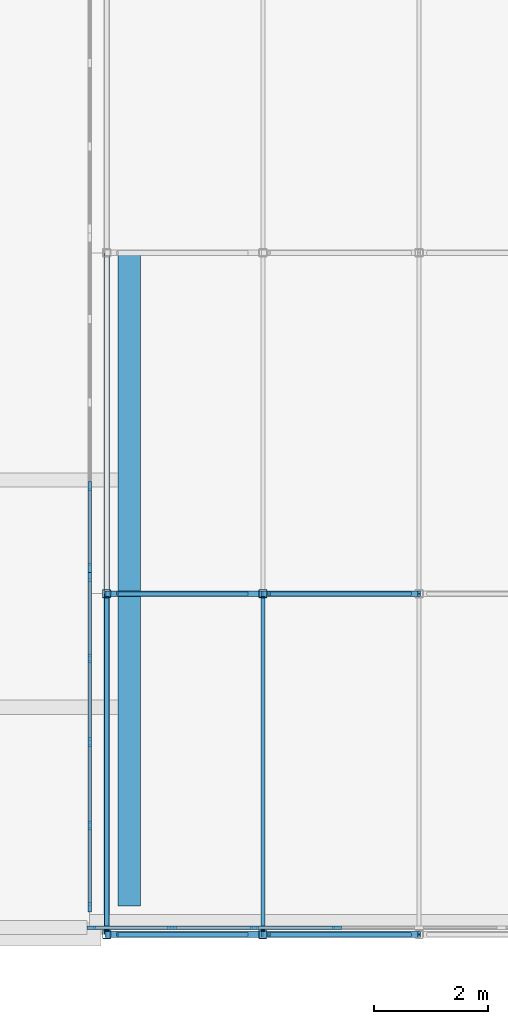
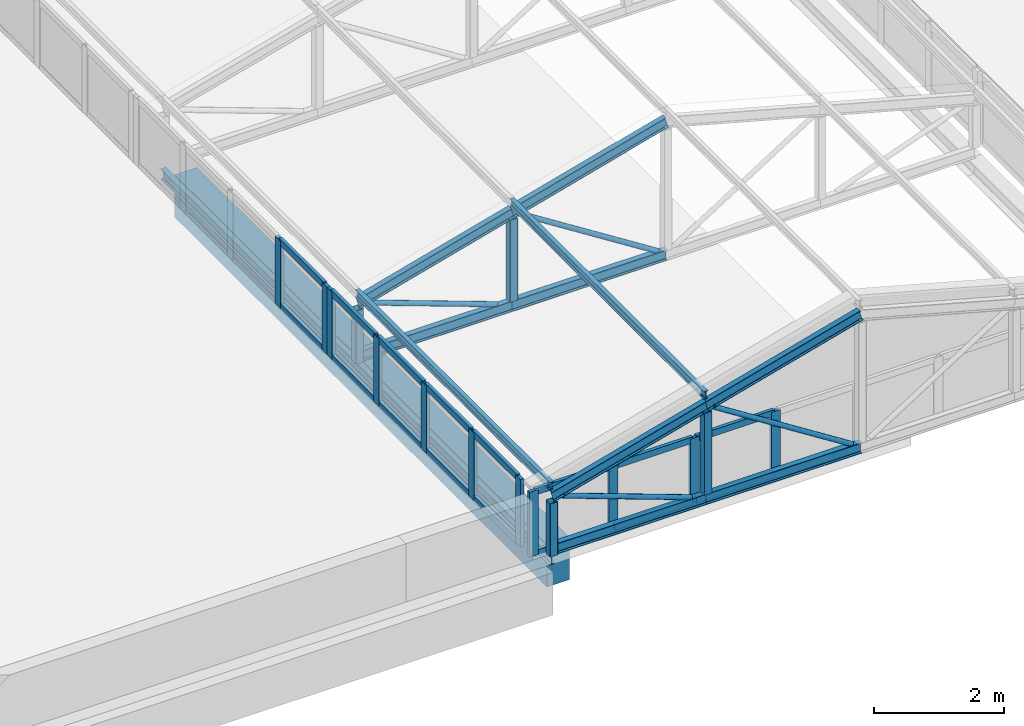
# One storey, part 2 of 94: 45 members, 2 beams, 3 elements without a shape of their own.
"""IFC4 building model written with IfcOpenShell, lengths in metres."""

from ifc_helpers import new_model, si_unit, direction, frame, origin, origin_2d, place, context, subcontext, project, spatial, rectangle, hollow_rectangle, hollow_circle, i_section, extrude, material, layer, layer_set, material_profile, profile_set, type_object, element, aggregate, save


model = new_model("IFC4")

# Units and contexts
model_context = context("Model", 3, precision=1e-05, world=origin(), true_north=direction((0.0, 1.0)))
body_context = subcontext(model_context, "Body", "Model", "MODEL_VIEW")
ifc_project = project(units=[si_unit("LENGTHUNIT", "METRE"), si_unit("AREAUNIT", "SQUARE_METRE"), si_unit("VOLUMEUNIT", "CUBIC_METRE"), si_unit("PLANEANGLEUNIT", "RADIAN"), si_unit("MASSUNIT", "GRAM", prefix="KILO")], contexts=[model_context])

# Site, building, storey
site_placement = place(None, origin())
site = spatial("IfcSite", under=ifc_project, at=site_placement, CompositionType="ELEMENT")
building_placement = place(site_placement, origin())
building = spatial("IfcBuilding", under=site, at=building_placement, Name="Lilac Gate Convention Centre", CompositionType="ELEMENT")
storey_placement = place(building_placement, frame((0.0, 0.0, 21.0)))
storey = spatial("IfcBuildingStorey", under=building, at=storey_placement, Name="L04", CompositionType="ELEMENT", Elevation=21.0)

# Curtain wall, members
ifc_material_1 = material(Name="Aluminium framed double glazing", Category="aluminium")
ifc_layer = layer(ifc_material_1, 0.199951171875)
ifc_layer_set = layer_set([ifc_layer], Name="Aluminium framed double glazing")
curtain_wall_type = type_object("IfcCurtainWallType", Name="Unitised curtain wall 1500", PredefinedType="NOTDEFINED", material=ifc_layer_set)
curtain_wall_1_placement = place(storey_placement, origin())
curtain_wall_1 = element("IfcCurtainWall", 1, at=curtain_wall_1_placement, inside=storey, type_object=curtain_wall_type, Name="Lantern clerestory W 1", PredefinedType="NOTDEFINED")
ifc_material_2 = material(Name="Aluminium alloy 6063", Category="aluminium")
ifc_material_profile_1 = material_profile(ifc_material_2, rectangle(XDim=0.06005859375, YDim=0.159912109375, at=origin_2d()), Name="Curtain wall mullion 60 x 160")
ifc_profile_set_1 = profile_set([ifc_material_profile_1], Name="Aluminium alloy 6063")
member_type_1 = type_object("IfcMemberType", Name="Curtain wall mullion 60 x 160", PredefinedType="MULLION", material=ifc_profile_set_1)
member_1_placement = place(storey_placement, frame((17.300048828125, 30.47998046875, 0.0), z_axis=(0.0, 0.0, 1.0), x_axis=(-1.0, 0.0, 0.0)))
member_1 = element("IfcMember", 2, at=member_1_placement, type_object=member_type_1, Name="CW mullion 1", PredefinedType="MULLION", context=body_context, shape_type="SweptSolid", body=[
    extrude(rectangle(XDim=0.06005859375, YDim=0.159912109375, at=origin_2d()), origin(), (0.0, 0.0, 1.0), 1.272216796875),
])
member_2_placement = place(storey_placement, frame((17.300048828125, 31.918701171875, 0.0), z_axis=(0.0, 0.0, 1.0), x_axis=(-1.0, 0.0, 0.0)))
member_2 = element("IfcMember", 3, at=member_2_placement, type_object=member_type_1, Name="CW mullion 2", PredefinedType="MULLION", context=body_context, shape_type="SweptSolid", body=[
    extrude(rectangle(XDim=0.06005859375, YDim=0.159912109375, at=origin_2d()), origin(), (0.0, 0.0, 1.0), 1.272216796875),
])
member_3_placement = place(storey_placement, frame((17.300048828125, 33.387451171875, 0.0), z_axis=(0.0, 0.0, 1.0), x_axis=(-1.0, 0.0, 0.0)))
member_3 = element("IfcMember", 4, at=member_3_placement, type_object=member_type_1, Name="CW mullion 3", PredefinedType="MULLION", context=body_context, shape_type="SweptSolid", body=[
    extrude(rectangle(XDim=0.06005859375, YDim=0.159912109375, at=origin_2d()), origin(), (0.0, 0.0, 1.0), 1.272216796875),
])
member_4_placement = place(storey_placement, frame((17.300048828125, 34.856201171875, 0.0), z_axis=(0.0, 0.0, 1.0), x_axis=(-1.0, 0.0, 0.0)))
member_4 = element("IfcMember", 5, at=member_4_placement, type_object=member_type_1, Name="CW mullion 4", PredefinedType="MULLION", context=body_context, shape_type="SweptSolid", body=[
    extrude(rectangle(XDim=0.06005859375, YDim=0.159912109375, at=origin_2d()), origin(), (0.0, 0.0, 1.0), 1.272216796875),
])
member_5_placement = place(storey_placement, frame((17.300048828125, 36.294921875, 0.0), z_axis=(0.0, 0.0, 1.0), x_axis=(-1.0, 0.0, 0.0)))
member_5 = element("IfcMember", 6, at=member_5_placement, type_object=member_type_1, Name="CW mullion 5", PredefinedType="MULLION", context=body_context, shape_type="SweptSolid", body=[
    extrude(rectangle(XDim=0.06005859375, YDim=0.159912109375, at=origin_2d()), origin(), (0.0, 0.0, 1.0), 1.272216796875),
])

curtain_wall_2_placement = place(storey_placement, origin())
curtain_wall_2 = element("IfcCurtainWall", 7, at=curtain_wall_2_placement, inside=storey, type_object=curtain_wall_type, Name="Lantern clerestory W 2", PredefinedType="NOTDEFINED")
member_6_placement = place(storey_placement, frame((17.300048828125, 36.455078125, 0.0), z_axis=(0.0, 0.0, 1.0), x_axis=(-1.0, 0.0, 0.0)))
member_6 = element("IfcMember", 8, at=member_6_placement, type_object=member_type_1, Name="CW mullion 1", PredefinedType="MULLION", context=body_context, shape_type="SweptSolid", body=[
    extrude(rectangle(XDim=0.06005859375, YDim=0.159912109375, at=origin_2d()), origin(), (0.0, 0.0, 1.0), 1.272216796875),
])
member_7_placement = place(storey_placement, frame((17.300048828125, 37.893798828125, 0.0), z_axis=(0.0, 0.0, 1.0), x_axis=(-1.0, 0.0, 0.0)))
member_7 = element("IfcMember", 9, at=member_7_placement, type_object=member_type_1, Name="CW mullion 2", PredefinedType="MULLION", context=body_context, shape_type="SweptSolid", body=[
    extrude(rectangle(XDim=0.06005859375, YDim=0.159912109375, at=origin_2d()), origin(), (0.0, 0.0, 1.0), 1.272216796875),
])

curtain_wall_3_placement = place(storey_placement, origin())
curtain_wall_3 = element("IfcCurtainWall", 10, at=curtain_wall_3_placement, inside=storey, type_object=curtain_wall_type, Name="Lantern end glazing S", PredefinedType="NOTDEFINED")
member_8_placement = place(storey_placement, frame((17.330078125, 30.1201171875, 0.0), z_axis=(0.0, 0.0, 1.0), x_axis=(0.0, 1.0, 0.0)))
member_8 = element("IfcMember", 11, at=member_8_placement, type_object=member_type_1, Name="CW mullion 1", PredefinedType="MULLION", context=body_context, shape_type="SweptSolid", body=[
    extrude(rectangle(XDim=0.06005859375, YDim=0.159912109375, at=origin_2d()), origin(), (0.0, 0.0, 1.0), 1.22216796875),
])
member_9_placement = place(storey_placement, frame((18.75, 30.1201171875, 0.0), z_axis=(0.0, 0.0, 1.0), x_axis=(0.0, 1.0, 0.0)))
member_9 = element("IfcMember", 12, at=member_9_placement, type_object=member_type_1, Name="CW mullion 2", PredefinedType="MULLION", context=body_context, shape_type="SweptSolid", body=[
    extrude(rectangle(XDim=0.06005859375, YDim=0.159912109375, at=origin_2d()), origin(), (0.0, 0.0, 1.0), 1.22216796875),
])
member_10_placement = place(storey_placement, frame((20.199951171875, 30.1201171875, 0.0), z_axis=(0.0, 0.0, 1.0), x_axis=(0.0, 1.0, 0.0)))
member_10 = element("IfcMember", 13, at=member_10_placement, type_object=member_type_1, Name="CW mullion 3", PredefinedType="MULLION", context=body_context, shape_type="SweptSolid", body=[
    extrude(rectangle(XDim=0.06005859375, YDim=0.159912109375, at=origin_2d()), origin(), (0.0, 0.0, 1.0), 1.22216796875),
])
member_11_placement = place(storey_placement, frame((21.64990234375, 30.1201171875, 0.0), z_axis=(0.0, 0.0, 1.0), x_axis=(0.0, 1.0, 0.0)))
member_11 = element("IfcMember", 14, at=member_11_placement, type_object=member_type_1, Name="CW mullion 4", PredefinedType="MULLION", context=body_context, shape_type="SweptSolid", body=[
    extrude(rectangle(XDim=0.06005859375, YDim=0.159912109375, at=origin_2d()), origin(), (0.0, 0.0, 1.0), 1.22216796875),
])

# Member
ifc_material_profile_2 = material_profile(ifc_material_2, rectangle(XDim=0.06005859375, YDim=0.1201171875, at=origin_2d()), Name="Curtain wall transom 60 x 120")
ifc_profile_set_2 = profile_set([ifc_material_profile_2], Name="Aluminium alloy 6063")
member_type_2 = type_object("IfcMemberType", Name="Curtain wall transom 60 x 120", PredefinedType="USERDEFINED", material=ifc_profile_set_2)
member_12_placement = place(storey_placement, frame((17.300048828125, 30.510009765625, 0.030029296875), z_axis=(0.0, 1.0, 0.0), x_axis=(-1.0, 0.0, 0.0)))
member_12 = element("IfcMember", 15, at=member_12_placement, type_object=member_type_2, Name="CW transom 1.1", ObjectType="TRANSOM", PredefinedType="USERDEFINED", context=body_context, shape_type="SweptSolid", body=[
    extrude(rectangle(XDim=0.06005859375, YDim=0.1201171875, at=origin_2d()), origin(), (0.0, 0.0, 1.0), 1.378662109375),
])

member_13_placement = place(storey_placement, frame((17.300048828125, 30.510009765625, 1.2421875), z_axis=(0.0, 1.0, 0.0), x_axis=(-1.0, 0.0, 0.0)))
member_13 = element("IfcMember", 16, at=member_13_placement, type_object=member_type_2, Name="CW transom 1.2", ObjectType="TRANSOM", PredefinedType="USERDEFINED", context=body_context, shape_type="SweptSolid", body=[
    extrude(rectangle(XDim=0.06005859375, YDim=0.1201171875, at=origin_2d()), origin(), (0.0, 0.0, 1.0), 1.378662109375),
])

member_14_placement = place(storey_placement, frame((17.300048828125, 31.94873046875, 0.030029296875), z_axis=(0.0, 1.0, 0.0), x_axis=(-1.0, 0.0, 0.0)))
member_14 = element("IfcMember", 17, at=member_14_placement, type_object=member_type_2, Name="CW transom 2.1", ObjectType="TRANSOM", PredefinedType="USERDEFINED", context=body_context, shape_type="SweptSolid", body=[
    extrude(rectangle(XDim=0.06005859375, YDim=0.1201171875, at=origin_2d()), origin(), (0.0, 0.0, 1.0), 1.40869140625),
])

member_15_placement = place(storey_placement, frame((17.300048828125, 31.94873046875, 1.2421875), z_axis=(0.0, 1.0, 0.0), x_axis=(-1.0, 0.0, 0.0)))
member_15 = element("IfcMember", 18, at=member_15_placement, type_object=member_type_2, Name="CW transom 2.2", ObjectType="TRANSOM", PredefinedType="USERDEFINED", context=body_context, shape_type="SweptSolid", body=[
    extrude(rectangle(XDim=0.06005859375, YDim=0.1201171875, at=origin_2d()), origin(), (0.0, 0.0, 1.0), 1.40869140625),
])

member_16_placement = place(storey_placement, frame((17.300048828125, 33.41748046875, 0.030029296875), z_axis=(0.0, 1.0, 0.0), x_axis=(-1.0, 0.0, 0.0)))
member_16 = element("IfcMember", 19, at=member_16_placement, type_object=member_type_2, Name="CW transom 3.1", ObjectType="TRANSOM", PredefinedType="USERDEFINED", context=body_context, shape_type="SweptSolid", body=[
    extrude(rectangle(XDim=0.06005859375, YDim=0.1201171875, at=origin_2d()), origin(), (0.0, 0.0, 1.0), 1.40869140625),
])

member_17_placement = place(storey_placement, frame((17.300048828125, 33.41748046875, 1.2421875), z_axis=(0.0, 1.0, 0.0), x_axis=(-1.0, 0.0, 0.0)))
member_17 = element("IfcMember", 20, at=member_17_placement, type_object=member_type_2, Name="CW transom 3.2", ObjectType="TRANSOM", PredefinedType="USERDEFINED", context=body_context, shape_type="SweptSolid", body=[
    extrude(rectangle(XDim=0.06005859375, YDim=0.1201171875, at=origin_2d()), origin(), (0.0, 0.0, 1.0), 1.40869140625),
])

member_18_placement = place(storey_placement, frame((17.300048828125, 34.88623046875, 0.030029296875), z_axis=(0.0, 1.0, 0.0), x_axis=(-1.0, 0.0, 0.0)))
member_18 = element("IfcMember", 21, at=member_18_placement, type_object=member_type_2, Name="CW transom 4.1", ObjectType="TRANSOM", PredefinedType="USERDEFINED", context=body_context, shape_type="SweptSolid", body=[
    extrude(rectangle(XDim=0.06005859375, YDim=0.1201171875, at=origin_2d()), origin(), (0.0, 0.0, 1.0), 1.378662109375),
])

member_19_placement = place(storey_placement, frame((17.300048828125, 34.88623046875, 1.2421875), z_axis=(0.0, 1.0, 0.0), x_axis=(-1.0, 0.0, 0.0)))
member_19 = element("IfcMember", 22, at=member_19_placement, type_object=member_type_2, Name="CW transom 4.2", ObjectType="TRANSOM", PredefinedType="USERDEFINED", context=body_context, shape_type="SweptSolid", body=[
    extrude(rectangle(XDim=0.06005859375, YDim=0.1201171875, at=origin_2d()), origin(), (0.0, 0.0, 1.0), 1.378662109375),
])

aggregate(curtain_wall_1, [member_1, member_2, member_3, member_4, member_5, member_12, member_13, member_14, member_15, member_16, member_17, member_18, member_19])

member_20_placement = place(storey_placement, frame((17.300048828125, 36.485107421875, 0.030029296875), z_axis=(0.0, 1.0, 0.0), x_axis=(-1.0, 0.0, 0.0)))
member_20 = element("IfcMember", 23, at=member_20_placement, type_object=member_type_2, Name="CW transom 1.1", ObjectType="TRANSOM", PredefinedType="USERDEFINED", context=body_context, shape_type="SweptSolid", body=[
    extrude(rectangle(XDim=0.06005859375, YDim=0.1201171875, at=origin_2d()), origin(), (0.0, 0.0, 1.0), 1.378662109375),
])

member_21_placement = place(storey_placement, frame((17.300048828125, 36.485107421875, 1.2421875), z_axis=(0.0, 1.0, 0.0), x_axis=(-1.0, 0.0, 0.0)))
member_21 = element("IfcMember", 24, at=member_21_placement, type_object=member_type_2, Name="CW transom 1.2", ObjectType="TRANSOM", PredefinedType="USERDEFINED", context=body_context, shape_type="SweptSolid", body=[
    extrude(rectangle(XDim=0.06005859375, YDim=0.1201171875, at=origin_2d()), origin(), (0.0, 0.0, 1.0), 1.378662109375),
])

aggregate(curtain_wall_2, [member_6, member_7, member_20, member_21])

member_22_placement = place(storey_placement, frame((17.360107421875, 30.1201171875, 0.030029296875), z_axis=(1.0, 0.0, 0.0), x_axis=(0.0, 1.0, 0.0)))
member_22 = element("IfcMember", 25, at=member_22_placement, type_object=member_type_2, Name="CW transom 1.1", ObjectType="TRANSOM", PredefinedType="USERDEFINED", context=body_context, shape_type="SweptSolid", body=[
    extrude(rectangle(XDim=0.06005859375, YDim=0.1201171875, at=origin_2d()), origin(), (0.0, 0.0, 1.0), 1.35986328125),
])

member_23_placement = place(storey_placement, frame((17.360107421875, 30.1201171875, 1.192138671875), z_axis=(1.0, 0.0, 0.0), x_axis=(0.0, 1.0, 0.0)))
member_23 = element("IfcMember", 26, at=member_23_placement, type_object=member_type_2, Name="CW transom 1.2", ObjectType="TRANSOM", PredefinedType="USERDEFINED", context=body_context, shape_type="SweptSolid", body=[
    extrude(rectangle(XDim=0.06005859375, YDim=0.1201171875, at=origin_2d()), origin(), (0.0, 0.0, 1.0), 1.35986328125),
])

member_24_placement = place(storey_placement, frame((18.780029296875, 30.1201171875, 0.030029296875), z_axis=(1.0, 0.0, 0.0), x_axis=(0.0, 1.0, 0.0)))
member_24 = element("IfcMember", 27, at=member_24_placement, type_object=member_type_2, Name="CW transom 2.1", ObjectType="TRANSOM", PredefinedType="USERDEFINED", context=body_context, shape_type="SweptSolid", body=[
    extrude(rectangle(XDim=0.06005859375, YDim=0.1201171875, at=origin_2d()), origin(), (0.0, 0.0, 1.0), 1.389892578125),
])

member_25_placement = place(storey_placement, frame((18.780029296875, 30.1201171875, 1.192138671875), z_axis=(1.0, 0.0, 0.0), x_axis=(0.0, 1.0, 0.0)))
member_25 = element("IfcMember", 28, at=member_25_placement, type_object=member_type_2, Name="CW transom 2.2", ObjectType="TRANSOM", PredefinedType="USERDEFINED", context=body_context, shape_type="SweptSolid", body=[
    extrude(rectangle(XDim=0.06005859375, YDim=0.1201171875, at=origin_2d()), origin(), (0.0, 0.0, 1.0), 1.389892578125),
])

member_26_placement = place(storey_placement, frame((20.22998046875, 30.1201171875, 0.030029296875), z_axis=(1.0, 0.0, 0.0), x_axis=(0.0, 1.0, 0.0)))
member_26 = element("IfcMember", 29, at=member_26_placement, type_object=member_type_2, Name="CW transom 3.1", ObjectType="TRANSOM", PredefinedType="USERDEFINED", context=body_context, shape_type="SweptSolid", body=[
    extrude(rectangle(XDim=0.06005859375, YDim=0.1201171875, at=origin_2d()), origin(), (0.0, 0.0, 1.0), 1.389892578125),
])

member_27_placement = place(storey_placement, frame((20.22998046875, 30.1201171875, 1.192138671875), z_axis=(1.0, 0.0, 0.0), x_axis=(0.0, 1.0, 0.0)))
member_27 = element("IfcMember", 30, at=member_27_placement, type_object=member_type_2, Name="CW transom 3.2", ObjectType="TRANSOM", PredefinedType="USERDEFINED", context=body_context, shape_type="SweptSolid", body=[
    extrude(rectangle(XDim=0.06005859375, YDim=0.1201171875, at=origin_2d()), origin(), (0.0, 0.0, 1.0), 1.389892578125),
])

aggregate(curtain_wall_3, [member_8, member_9, member_10, member_11, member_22, member_23, member_24, member_25, member_26, member_27])

# Members
ifc_material_3 = material(Name="Steel Q355B", Category="steel")
ifc_material_profile_3 = material_profile(ifc_material_3, i_section(OverallWidth=0.10009765625, OverallDepth=0.199951171875, WebThickness=0.005615234375, FlangeThickness=0.008056640625, FilletRadius=0.008056640625, at=origin_2d()), Name="HN200x100x5.5x8")
ifc_profile_set_3 = profile_set([ifc_material_profile_3], Name="Steel Q355B")
member_type_3 = type_object("IfcMemberType", Name="Lantern bottom chord HN200x100x5.5x8", PredefinedType="CHORD", material=ifc_profile_set_3)
for number, where, z_axis, x_axis, name in (
    (31, (17.60009765625, 30.0, 0.10009765625), (1.0, 0.0, 0.0), (0.0, 1.0, 0.0), "LB1 lantern truss 1 bottom chord 1"),
    (32, (20.35009765625, 30.0, 0.10009765625), (1.0, 0.0, 0.0), (0.0, 1.0, 0.0), "LB1 lantern truss 1 bottom chord 2"),
    (33, (17.60009765625, 36.0, 0.10009765625), (1.0, 0.0, 0.0), (0.0, 1.0, 0.0), "LB1 lantern truss 2 bottom chord 1"),
    (34, (20.35009765625, 36.0, 0.10009765625), (1.0, 0.0, 0.0), (0.0, 1.0, 0.0), "LB1 lantern truss 2 bottom chord 2"),
):
    element("IfcMember", number, at=place(storey_placement, frame(where, z_axis=z_axis, x_axis=x_axis)), inside=storey, type_object=member_type_3, Name=name, PredefinedType="CHORD", context=body_context, shape_type="SweptSolid", body=[
        extrude(i_section(OverallWidth=0.10009765625, OverallDepth=0.199951171875, WebThickness=0.005615234375, FlangeThickness=0.008056640625, FilletRadius=0.008056640625, at=origin_2d()), origin(), (0.0, 0.0, 1.0), 2.75),
    ])
ifc_material_profile_4 = material_profile(ifc_material_3, hollow_circle(Radius=0.04443359375, WallThickness=0.0048828125, at=origin_2d()), Name="CHS88.9x5")
ifc_profile_set_4 = profile_set([ifc_material_profile_4], Name="Steel Q355B")
member_type_4 = type_object("IfcMemberType", Name="Lantern diagonal CHS88.9x5", PredefinedType="BRACE", material=ifc_profile_set_4)
member_28_placement = place(storey_placement, frame((17.789794921875, 30.0, 1.031005859375), z_axis=(0.939781696917, 0.0, -0.341775309434), x_axis=(0.0, 1.0, 0.0)))
element("IfcMember", 35, at=member_28_placement, inside=storey, type_object=member_type_4, Name="LW1 lantern truss 1 diagonal 1", PredefinedType="BRACE", context=body_context, shape_type="SweptSolid", body=[
    extrude(hollow_circle(Radius=0.04443359375, WallThickness=0.0048828125, at=origin_2d()), origin(), (0.0, 0.0, 1.0), 2.431640625),
])
member_29_placement = place(storey_placement, frame((20.45849609375, 30.0, 1.781005859375), z_axis=(0.843647832412, 0.0, -0.536896949951), x_axis=(0.0, 1.0, 0.0)))
element("IfcMember", 36, at=member_29_placement, inside=storey, type_object=member_type_4, Name="LW1 lantern truss 1 diagonal 2", PredefinedType="BRACE", context=body_context, shape_type="SweptSolid", body=[
    extrude(hollow_circle(Radius=0.04443359375, WallThickness=0.0048828125, at=origin_2d()), origin(), (0.0, 0.0, 1.0), 2.94482421875),
])
member_30_placement = place(storey_placement, frame((17.789794921875, 36.0, 1.031005859375), z_axis=(0.939781696917, 0.0, -0.341775309434), x_axis=(0.0, 1.0, 0.0)))
element("IfcMember", 37, at=member_30_placement, inside=storey, type_object=member_type_4, Name="LW1 lantern truss 2 diagonal 1", PredefinedType="BRACE", context=body_context, shape_type="SweptSolid", body=[
    extrude(hollow_circle(Radius=0.04443359375, WallThickness=0.0048828125, at=origin_2d()), origin(), (0.0, 0.0, 1.0), 2.431640625),
])
member_31_placement = place(storey_placement, frame((20.45849609375, 36.0, 1.781005859375), z_axis=(0.843647832412, 0.0, -0.536896949951), x_axis=(0.0, 1.0, 0.0)))
element("IfcMember", 38, at=member_31_placement, inside=storey, type_object=member_type_4, Name="LW1 lantern truss 2 diagonal 2", PredefinedType="BRACE", context=body_context, shape_type="SweptSolid", body=[
    extrude(hollow_circle(Radius=0.04443359375, WallThickness=0.0048828125, at=origin_2d()), origin(), (0.0, 0.0, 1.0), 2.94482421875),
])
ifc_material_profile_5 = material_profile(ifc_material_3, hollow_rectangle(XDim=0.139892578125, YDim=0.139892578125, WallThickness=0.0048828125, InnerFilletRadius=0.0048828125, OuterFilletRadius=0.010009765625, at=origin_2d()), Name="SHS140x140x5")
ifc_profile_set_5 = profile_set([ifc_material_profile_5], Name="Steel Q355B")
member_type_5 = type_object("IfcMemberType", Name="Lantern post SHS140x140x5", PredefinedType="STRUT", material=ifc_profile_set_5)
member_32_placement = place(storey_placement, frame((17.60009765625, 30.0, 0.0), z_axis=(0.0, 0.0, 1.0), x_axis=(1.0, 0.0, 0.0)))
element("IfcMember", 39, at=member_32_placement, inside=storey, type_object=member_type_5, Name="LV1 lantern truss 1 post 1", PredefinedType="STRUT", context=body_context, shape_type="SweptSolid", body=[
    extrude(hollow_rectangle(XDim=0.139892578125, YDim=0.139892578125, WallThickness=0.0048828125, InnerFilletRadius=0.0048828125, OuterFilletRadius=0.010009765625, at=origin_2d()), origin(), (0.0, 0.0, 1.0), 1.001953125),
])
member_33_placement = place(storey_placement, frame((20.35009765625, 30.0, 0.199951171875), z_axis=(0.0, 0.0, 1.0), x_axis=(1.0, 0.0, 0.0)))
element("IfcMember", 40, at=member_33_placement, inside=storey, type_object=member_type_5, Name="LV1 lantern truss 1 post 2", PredefinedType="STRUT", context=body_context, shape_type="SweptSolid", body=[
    extrude(hollow_rectangle(XDim=0.139892578125, YDim=0.139892578125, WallThickness=0.0048828125, InnerFilletRadius=0.0048828125, OuterFilletRadius=0.010009765625, at=origin_2d()), origin(), (0.0, 0.0, 1.0), 1.546142578125),
])
member_34_placement = place(storey_placement, frame((17.60009765625, 36.0, 0.0), z_axis=(0.0, 0.0, 1.0), x_axis=(1.0, 0.0, 0.0)))
element("IfcMember", 41, at=member_34_placement, inside=storey, type_object=member_type_5, Name="LV1 lantern truss 2 post 1", PredefinedType="STRUT", context=body_context, shape_type="SweptSolid", body=[
    extrude(hollow_rectangle(XDim=0.139892578125, YDim=0.139892578125, WallThickness=0.0048828125, InnerFilletRadius=0.0048828125, OuterFilletRadius=0.010009765625, at=origin_2d()), origin(), (0.0, 0.0, 1.0), 1.001953125),
])
member_35_placement = place(storey_placement, frame((20.35009765625, 36.0, 0.199951171875), z_axis=(0.0, 0.0, 1.0), x_axis=(1.0, 0.0, 0.0)))
element("IfcMember", 42, at=member_35_placement, inside=storey, type_object=member_type_5, Name="LV1 lantern truss 2 post 2", PredefinedType="STRUT", context=body_context, shape_type="SweptSolid", body=[
    extrude(hollow_rectangle(XDim=0.139892578125, YDim=0.139892578125, WallThickness=0.0048828125, InnerFilletRadius=0.0048828125, OuterFilletRadius=0.010009765625, at=origin_2d()), origin(), (0.0, 0.0, 1.0), 1.546142578125),
])
ifc_material_profile_6 = material_profile(ifc_material_3, i_section(OverallWidth=0.074951171875, OverallDepth=0.14990234375, WebThickness=0.0048828125, FlangeThickness=0.007080078125, FilletRadius=0.008056640625, at=origin_2d()), Name="HN150x75x5x7")
ifc_profile_set_6 = profile_set([ifc_material_profile_6], Name="Steel Q355B")
member_type_6 = type_object("IfcMemberType", Name="Lantern purlin HN150x75x5x7", PredefinedType="PURLIN", material=ifc_profile_set_6)
for number, where, z_axis, x_axis, name in (
    (43, (17.60009765625, 30.0, 1.279052734375), (0.0, 1.0, 0.0), (-1.0, 0.0, 0.0), "LP1 lantern purlin bay 1 line 1"),
    (44, (20.35009765625, 30.0, 2.029052734375), (0.0, 1.0, 0.0), (-1.0, 0.0, 0.0), "LP1 lantern purlin bay 1 line 2"),
):
    element("IfcMember", number, at=place(storey_placement, frame(where, z_axis=z_axis, x_axis=x_axis)), inside=storey, type_object=member_type_6, Name=name, PredefinedType="PURLIN", context=body_context, shape_type="SweptSolid", body=[
        extrude(i_section(OverallWidth=0.074951171875, OverallDepth=0.14990234375, WebThickness=0.0048828125, FlangeThickness=0.007080078125, FilletRadius=0.008056640625, at=origin_2d()), origin(), (0.0, 0.0, 1.0), 6.0),
    ])
ifc_material_profile_7 = material_profile(ifc_material_3, i_section(OverallWidth=0.10009765625, OverallDepth=0.199951171875, WebThickness=0.005615234375, FlangeThickness=0.008056640625, FilletRadius=0.008056640625, at=origin_2d()), Name="HN200x100x5.5x8")
ifc_profile_set_7 = profile_set([ifc_material_profile_7], Name="Steel Q355B")
member_type_7 = type_object("IfcMemberType", Name="Lantern top chord HN200x100x5.5x8", PredefinedType="CHORD", material=ifc_profile_set_7)
for number, where, z_axis, x_axis, name in (
    (45, (17.60009765625, 30.0, 1.10009765625), (0.964763821238, 0.0, 0.263117405792), (0.0, 1.0, 0.0), "LT1 lantern truss 1 top chord 1"),
    (46, (20.35009765625, 30.0, 1.85009765625), (0.964763821238, 0.0, 0.263117405792), (0.0, 1.0, 0.0), "LT1 lantern truss 1 top chord 2"),
    (47, (17.60009765625, 36.0, 1.10009765625), (0.964763821238, 0.0, 0.263117405792), (0.0, 1.0, 0.0), "LT1 lantern truss 2 top chord 1"),
    (48, (20.35009765625, 36.0, 1.85009765625), (0.964763821238, 0.0, 0.263117405792), (0.0, 1.0, 0.0), "LT1 lantern truss 2 top chord 2"),
):
    element("IfcMember", number, at=place(storey_placement, frame(where, z_axis=z_axis, x_axis=x_axis)), inside=storey, type_object=member_type_7, Name=name, PredefinedType="CHORD", context=body_context, shape_type="SweptSolid", body=[
        extrude(i_section(OverallWidth=0.10009765625, OverallDepth=0.199951171875, WebThickness=0.005615234375, FlangeThickness=0.008056640625, FilletRadius=0.008056640625, at=origin_2d()), origin(), (0.0, 0.0, 1.0), 2.850341796875),
    ])

# Beams
ifc_material_profile_8 = material_profile(ifc_material_3, i_section(OverallWidth=0.10009765625, OverallDepth=0.199951171875, WebThickness=0.005615234375, FlangeThickness=0.008056640625, FilletRadius=0.008056640625, at=origin_2d()), Name="HN200x100x5.5x8")
ifc_profile_set_8 = profile_set([ifc_material_profile_8], Name="Steel Q355B")
beam_type_1 = type_object("IfcBeamType", Name="Steel edge beam HN200x100x5.5x8", PredefinedType="BEAM", material=ifc_profile_set_8)
beam_1_placement = place(storey_placement, frame((17.60009765625, 30.0, -0.10009765625), z_axis=(0.0, 1.0, 0.0), x_axis=(-1.0, 0.0, 0.0)))
element("IfcBeam", 49, at=beam_1_placement, inside=storey, type_object=beam_type_1, Name="LE2 lantern west edge beam 1", PredefinedType="BEAM", context=body_context, shape_type="SweptSolid", body=[
    extrude(i_section(OverallWidth=0.10009765625, OverallDepth=0.199951171875, WebThickness=0.005615234375, FlangeThickness=0.008056640625, FilletRadius=0.008056640625, at=origin_2d()), origin(), (0.0, 0.0, 1.0), 12.0),
])
ifc_material_4 = material(Name="Concrete C40", Category="concrete")
ifc_material_profile_9 = material_profile(ifc_material_4, rectangle(XDim=0.39990234375, YDim=0.800048828125, at=origin_2d()), Name="RC 400x800")
ifc_profile_set_9 = profile_set([ifc_material_profile_9], Name="Concrete C40")
beam_type_2 = type_object("IfcBeamType", Name="Tower primary beam 400x800 C40", PredefinedType="BEAM", material=ifc_profile_set_9)
beam_2_placement = place(storey_placement, frame((18.0, 30.5, -0.60009765625), z_axis=(0.0, 1.0, 0.0), x_axis=(-1.0, 0.0, 0.0)))
element("IfcBeam", 50, at=beam_2_placement, inside=storey, type_object=beam_type_2, Name="RB3 L04 2/A-2/B", PredefinedType="BEAM", context=body_context, shape_type="SweptSolid", body=[
    extrude(rectangle(XDim=0.39990234375, YDim=0.800048828125, at=origin_2d()), origin(), (0.0, 0.0, 1.0), 11.5),
])

save(model, "model.ifc")
